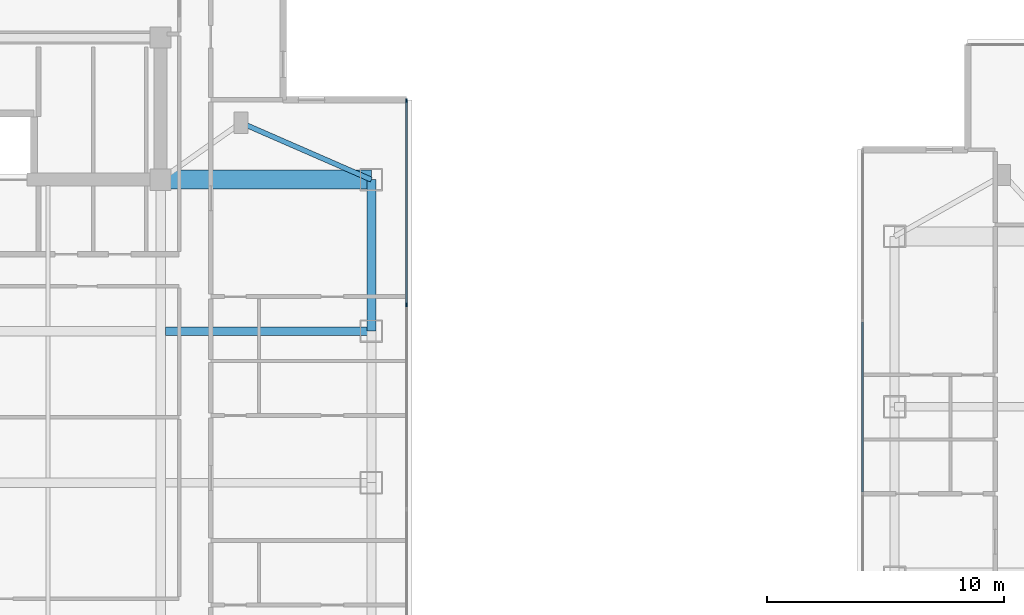
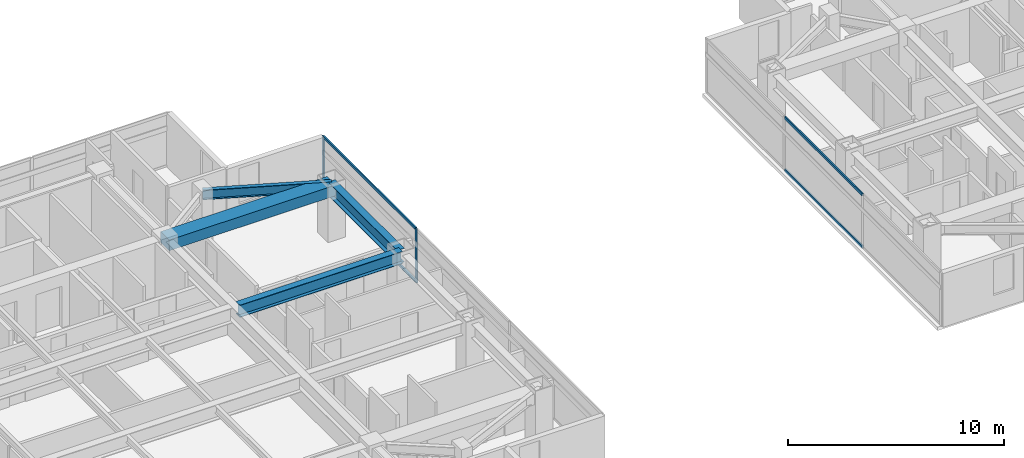
# One storey, part 6 of 24: 6 members, 4 beams, 2 elements without a shape of their own.
"""IFC4 building model written with IfcOpenShell, lengths in metres."""

from ifc_helpers import new_model, si_unit, direction, frame, origin, origin_2d, place, context, subcontext, project, spatial, rectangle, i_section, extrude, material, material_profile, profile_set, type_object, element, aggregate, save


model = new_model("IFC4")

# Units and contexts
model_context = context("Model", 3, precision=1e-05, world=origin(), true_north=direction((0.0, 1.0)))
body_context = subcontext(model_context, "Body", "Model", "MODEL_VIEW")
ifc_project = project(units=[si_unit("LENGTHUNIT", "METRE"), si_unit("AREAUNIT", "SQUARE_METRE"), si_unit("VOLUMEUNIT", "CUBIC_METRE"), si_unit("PLANEANGLEUNIT", "RADIAN"), si_unit("MASSUNIT", "GRAM", prefix="KILO")], contexts=[model_context])

# Site, building, storey
site_placement = place(None, origin())
site = spatial("IfcSite", under=ifc_project, at=site_placement, CompositionType="ELEMENT")
building_placement = place(site_placement, origin())
building = spatial("IfcBuilding", under=site, at=building_placement, Name="Mirazonda Arch Towers", CompositionType="ELEMENT")
storey_placement = place(building_placement, frame((0.0, 0.0, 190.14990234375)))
storey = spatial("IfcBuildingStorey", under=building, at=storey_placement, Name="L54", CompositionType="ELEMENT", Elevation=190.14990234375)

# Beams
ifc_material_1 = material(Name="Steel ASTM A992 Grade 50", Category="steel")
ifc_material_profile_1 = material_profile(ifc_material_1, i_section(OverallWidth=0.381103515625, OverallDepth=0.77294921875, WebThickness=0.0166015625, FlangeThickness=0.027099609375, at=origin_2d()), Name="W30X173")
ifc_profile_set_1 = profile_set([ifc_material_profile_1], Name="Steel ASTM A992 Grade 50")
beam_type_1 = type_object("IfcBeamType", Name="BM-EXT-W30X173", PredefinedType="USERDEFINED", material=ifc_profile_set_1)
beam_1_placement = place(storey_placement, frame((38.89990234375, 31.199951171875, 2.66357421875), z_axis=(0.0, 1.0, 0.0), x_axis=(-1.0, 0.0, 0.0)))
element("IfcBeam", 1, at=beam_1_placement, inside=storey, type_object=beam_type_1, Name="L54 Floor Beam BM-T1-L54-NS-E-31", ObjectType="GIRDER", PredefinedType="USERDEFINED", context=body_context, shape_type="SweptSolid", body=[
    extrude(i_section(OverallWidth=0.381103515625, OverallDepth=0.77294921875, WebThickness=0.0166015625, FlangeThickness=0.027099609375, at=origin_2d()), origin(), (0.0, 0.0, 1.0), 6.400146484375),
])
ifc_material_profile_2 = material_profile(ifc_material_1, i_section(OverallWidth=0.214111328125, OverallDepth=0.549072265625, WebThickness=0.0146484375, FlangeThickness=0.023681640625, at=origin_2d()), Name="W21X93")
ifc_profile_set_2 = profile_set([ifc_material_profile_2], Name="Steel ASTM A992 Grade 50")
beam_type_2 = type_object("IfcBeamType", Name="BM-INT-W21X93", PredefinedType="BEAM", material=ifc_profile_set_2)
beam_2_placement = place(storey_placement, frame((33.39990234375, 40.0, 2.775634765625), z_axis=(0.916545343703, -0.399930785183, 0.0), x_axis=(0.399930785183, 0.916545343703, 0.0)))
element("IfcBeam", 2, at=beam_2_placement, inside=storey, type_object=beam_type_2, Name="L54 Floor Beam BM-T1-L54-PL-NE2", PredefinedType="BEAM", context=body_context, shape_type="SweptSolid", body=[
    extrude(i_section(OverallWidth=0.214111328125, OverallDepth=0.549072265625, WebThickness=0.0146484375, FlangeThickness=0.023681640625, at=origin_2d()), origin(), (0.0, 0.0, 1.0), 6.000732421875),
])
ifc_material_profile_3 = material_profile(ifc_material_1, i_section(OverallWidth=0.35498046875, OverallDepth=0.696044921875, WebThickness=0.015380859375, FlangeThickness=0.02490234375, at=origin_2d()), Name="W27X146")
ifc_profile_set_3 = profile_set([ifc_material_profile_3], Name="Steel ASTM A992 Grade 50")
beam_type_3 = type_object("IfcBeamType", Name="BM-INT-W27X146", PredefinedType="BEAM", material=ifc_profile_set_3)
beam_3_placement = place(storey_placement, frame((30.199951171875, 31.199951171875, 2.7021484375), z_axis=(1.0, 0.0, 0.0), x_axis=(0.0, 1.0, 0.0)))
element("IfcBeam", 3, at=beam_3_placement, inside=storey, type_object=beam_type_3, Name="L54 Floor Beam BM-T1-L54-GE3", PredefinedType="BEAM", context=body_context, shape_type="SweptSolid", body=[
    extrude(i_section(OverallWidth=0.35498046875, OverallDepth=0.696044921875, WebThickness=0.015380859375, FlangeThickness=0.02490234375, at=origin_2d()), origin(), (0.0, 0.0, 1.0), 8.699951171875),
])
ifc_material_2 = material(Name="Concrete C60/75", Category="concrete")
ifc_material_profile_4 = material_profile(ifc_material_2, rectangle(XDim=0.800048828125, YDim=0.60009765625, at=origin_2d()), Name="RCCB800x600")
ifc_profile_set_4 = profile_set([ifc_material_profile_4], Name="Concrete C60/75")
beam_type_4 = type_object("IfcBeamType", Name="CB-INT-RCCB800x600", PredefinedType="SPANDREL", material=ifc_profile_set_4)
beam_4_placement = place(storey_placement, frame((30.0, 37.60009765625, 2.75), z_axis=(1.0, 0.0, 0.0), x_axis=(0.0, 1.0, 0.0)))
element("IfcBeam", 4, at=beam_4_placement, inside=storey, type_object=beam_type_4, Name="L54 Floor Beam CBC-T1-L54-NE", PredefinedType="SPANDREL", context=body_context, shape_type="SweptSolid", body=[
    extrude(rectangle(XDim=0.800048828125, YDim=0.60009765625, at=origin_2d()), origin(), (0.0, 0.0, 1.0), 8.89990234375),
])

# Curtain wall, members
ifc_material_3 = material(Name="Anodised Aluminium and Low-E Glass", Category="aluminium")
curtain_wall_type = type_object("IfcCurtainWallType", Name="CW-RES-UNIT", PredefinedType="NOTDEFINED", material=ifc_material_3)
curtain_wall_1_placement = place(storey_placement, origin())
curtain_wall_1 = element("IfcCurtainWall", 5, at=curtain_wall_1_placement, inside=storey, type_object=curtain_wall_type, Name="L54 T1 E Facade CW-L54-T1-E", PredefinedType="NOTDEFINED")
ifc_material_4 = material(Name="Anodised Aluminium Alloy", Category="aluminium")
ifc_material_profile_5 = material_profile(ifc_material_4, rectangle(XDim=0.074951171875, YDim=0.175048828125, at=origin_2d()), Name="ALU-MULL-75x175")
ifc_profile_set_5 = profile_set([ifc_material_profile_5], Name="Anodised Aluminium Alloy")
member_type_1 = type_object("IfcMemberType", Name="MULL-CW-RES-UNIT", PredefinedType="MULLION", material=ifc_profile_set_5)
member_1_placement = place(storey_placement, frame((40.389892578125, 32.32373046875, 0.0), z_axis=(0.0, 0.0, 1.0), x_axis=(-1.0, 0.0, 0.0)))
member_1 = element("IfcMember", 6, at=member_1_placement, type_object=member_type_1, Name="CW-104 mullion 3", PredefinedType="MULLION", context=body_context, shape_type="SweptSolid", body=[
    extrude(rectangle(XDim=0.074951171875, YDim=0.175048828125, at=origin_2d()), origin(), (0.0, 0.0, 1.0), 3.030029296875),
])
member_2_placement = place(storey_placement, frame((40.389892578125, 40.93359375, 0.0), z_axis=(0.0, 0.0, 1.0), x_axis=(-1.0, 0.0, 0.0)))
member_2 = element("IfcMember", 7, at=member_2_placement, type_object=member_type_1, Name="CW-104 mullion 4", PredefinedType="MULLION", context=body_context, shape_type="SweptSolid", body=[
    extrude(rectangle(XDim=0.074951171875, YDim=0.175048828125, at=origin_2d()), origin(), (0.0, 0.0, 1.0), 3.030029296875),
])
ifc_material_profile_6 = material_profile(ifc_material_4, rectangle(XDim=0.074951171875, YDim=0.155029296875, at=origin_2d()), Name="ALU-TRAN-75x155")
ifc_profile_set_6 = profile_set([ifc_material_profile_6], Name="Anodised Aluminium Alloy")
member_type_2 = type_object("IfcMemberType", Name="TRAN-CW-RES-UNIT", PredefinedType="USERDEFINED", material=ifc_profile_set_6)
member_3_placement = place(storey_placement, frame((40.389892578125, 32.361083984375, 0.03759765625), z_axis=(0.0, 1.0, 0.0), x_axis=(-1.0, 0.0, 0.0)))
member_3 = element("IfcMember", 8, at=member_3_placement, type_object=member_type_2, Name="CW-104 transom 3.1", ObjectType="TRANSOM", PredefinedType="USERDEFINED", context=body_context, shape_type="SweptSolid", body=[
    extrude(rectangle(XDim=0.074951171875, YDim=0.155029296875, at=origin_2d()), origin(), (0.0, 0.0, 1.0), 8.534912109375),
])
member_4_placement = place(storey_placement, frame((40.389892578125, 32.361083984375, 2.99267578125), z_axis=(0.0, 1.0, 0.0), x_axis=(-1.0, 0.0, 0.0)))
member_4 = element("IfcMember", 9, at=member_4_placement, type_object=member_type_2, Name="CW-104 transom 3.2", ObjectType="TRANSOM", PredefinedType="USERDEFINED", context=body_context, shape_type="SweptSolid", body=[
    extrude(rectangle(XDim=0.074951171875, YDim=0.155029296875, at=origin_2d()), origin(), (0.0, 0.0, 1.0), 8.534912109375),
])
aggregate(curtain_wall_1, [member_1, member_2, member_3, member_4])

curtain_wall_2_placement = place(storey_placement, origin())
curtain_wall_2 = element("IfcCurtainWall", 10, at=curtain_wall_2_placement, inside=storey, type_object=curtain_wall_type, Name="L54 T2 W Facade CW-L54-T2-W", PredefinedType="NOTDEFINED")
member_5_placement = place(storey_placement, frame((59.646484375, 31.584228515625, 0.03759765625), z_axis=(0.0, -1.0, 0.0), x_axis=(1.0, 0.0, 0.0)))
member_5 = element("IfcMember", 11, at=member_5_placement, type_object=member_type_2, Name="CW-104 transom 2.1", ObjectType="TRANSOM", PredefinedType="USERDEFINED", context=body_context, shape_type="SweptSolid", body=[
    extrude(rectangle(XDim=0.074951171875, YDim=0.155029296875, at=origin_2d()), origin(), (0.0, 0.0, 1.0), 7.16845703125),
])
member_6_placement = place(storey_placement, frame((59.646484375, 31.584228515625, 2.99267578125), z_axis=(0.0, -1.0, 0.0), x_axis=(1.0, 0.0, 0.0)))
member_6 = element("IfcMember", 12, at=member_6_placement, type_object=member_type_2, Name="CW-104 transom 2.2", ObjectType="TRANSOM", PredefinedType="USERDEFINED", context=body_context, shape_type="SweptSolid", body=[
    extrude(rectangle(XDim=0.074951171875, YDim=0.155029296875, at=origin_2d()), origin(), (0.0, 0.0, 1.0), 7.16845703125),
])
aggregate(curtain_wall_2, [member_5, member_6])

save(model, "model.ifc")
